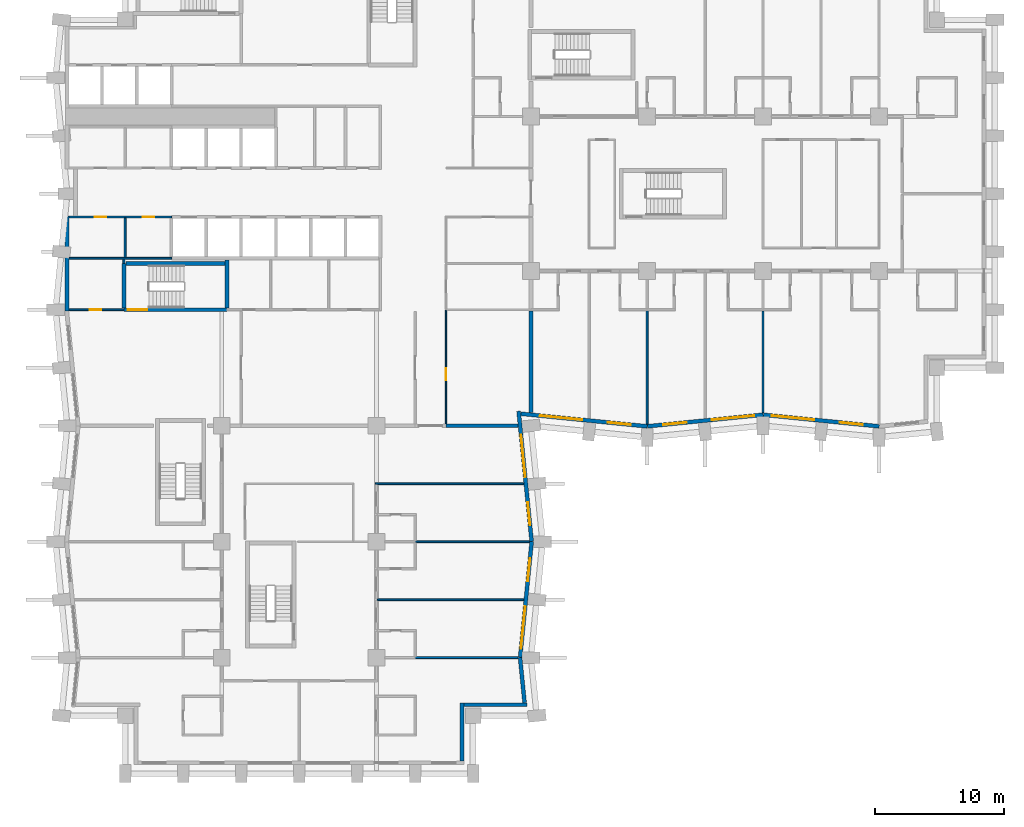
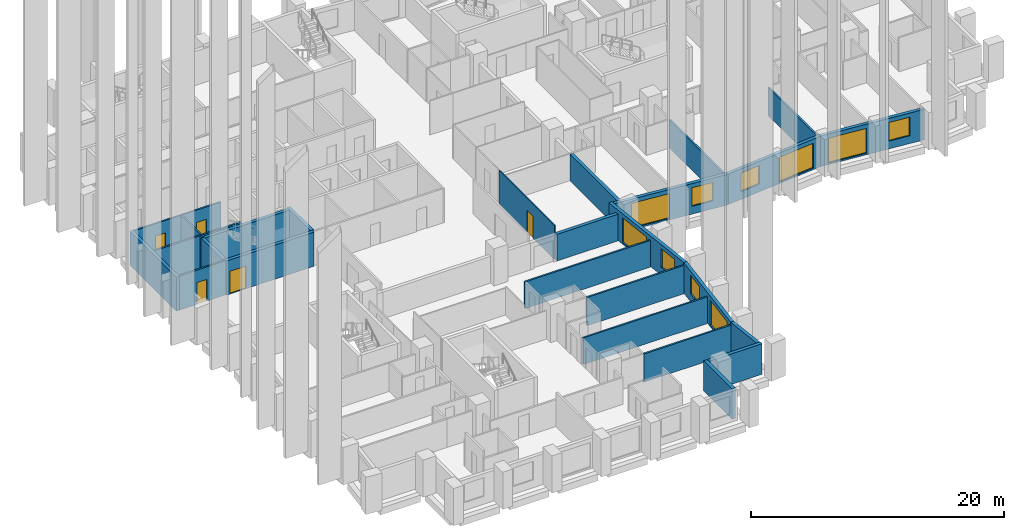
# One storey, part 5 of 13: 27 walls, 10 windows, 5 doors, 15 openings.
"""IFC4 building model written with IfcOpenShell, lengths in metres."""

from ifc_helpers import new_model, si_unit, direction, frame, frame_2d, origin, place, context, subcontext, project, spatial, rectangle, extrude, material, layer, layer_set, type_object, element, fill, save


model = new_model("IFC4")

# Units and contexts
model_context = context("Model", 3, precision=1e-05, world=origin(), true_north=direction((0.0, 1.0)))
body_context = subcontext(model_context, "Body", "Model", "MODEL_VIEW")
ifc_project = project(units=[si_unit("LENGTHUNIT", "METRE"), si_unit("AREAUNIT", "SQUARE_METRE"), si_unit("VOLUMEUNIT", "CUBIC_METRE"), si_unit("PLANEANGLEUNIT", "RADIAN"), si_unit("MASSUNIT", "GRAM", prefix="KILO")], contexts=[model_context])

# Site, building, storey
site_placement = place(None, origin())
site = spatial("IfcSite", under=ifc_project, at=site_placement, CompositionType="ELEMENT")
building_placement = place(site_placement, origin())
building = spatial("IfcBuilding", under=site, at=building_placement, Name="Brondeck Convention Tower", CompositionType="ELEMENT")
storey_placement = place(building_placement, frame((0.0, 0.0, 37.5)))
storey = spatial("IfcBuildingStorey", under=building, at=storey_placement, Name="L06", CompositionType="ELEMENT", Elevation=37.5)

# Walls
ifc_material_1 = material(Name="Concrete compartment wall C30/37", Category="concrete")
ifc_layer_1 = layer(ifc_material_1, 0.300048828125)
ifc_layer_set_1 = layer_set([ifc_layer_1], Name="Compartment wall 300")
wall_type_1 = type_object("IfcWallType", Name="Compartment wall 300", PredefinedType="PARTITIONING", material=ifc_layer_set_1)
wall_1_placement = place(storey_placement, frame((34.97509765625, 27.0, 0.0), z_axis=(0.0, 0.0, 1.0), x_axis=(-1.0, 0.0, 0.0)))
element("IfcWall", 1, at=wall_1_placement, inside=storey, type_object=wall_type_1, Name="FLR-L06-W057", PredefinedType="PARTITIONING", context=body_context, shape_type="SweptSolid", body=[
    extrude(rectangle(XDim=5.5751953125, YDim=0.300048828125, at=frame_2d((2.78759765625, 0.0))), origin(), (0.0, 0.0, 1.0), 2.580078125),
])
wall_2_placement = place(storey_placement, frame((36.0, 35.925048828125, 0.0), z_axis=(0.0, 0.0, 1.0), x_axis=(0.0, -1.0, 0.0)))
element("IfcWall", 2, at=wall_2_placement, inside=storey, type_object=wall_type_1, Name="FLR-L06-W060", PredefinedType="PARTITIONING", context=body_context, shape_type="SweptSolid", body=[
    extrude(rectangle(XDim=7.900146484375, YDim=0.300048828125, at=frame_2d((3.9501953125, 0.0))), origin(), (0.0, 0.0, 1.0), 2.580078125),
])
ifc_material_2 = material(Name="Concrete C80/95", Category="concrete")
ifc_layer_2 = layer(ifc_material_2, 0.300048828125)
ifc_layer_set_2 = layer_set([ifc_layer_2], Name="Core outer wall 300 Concrete C80/95")
wall_type_2 = type_object("IfcWallType", Name="Core outer wall 300 Concrete C80/95", PredefinedType="SHEAR", material=ifc_layer_set_2)
wall_3_placement = place(storey_placement, frame((0.0, 35.925048828125, 0.0), z_axis=(0.0, 0.0, 1.0), x_axis=(0.0, 1.0, 0.0)))
element("IfcWall", 3, at=wall_3_placement, inside=storey, type_object=wall_type_2, Name="L06 core wall", PredefinedType="SHEAR", context=body_context, shape_type="SweptSolid", body=[
    extrude(rectangle(XDim=7.349853515625, YDim=0.300048828125, at=frame_2d((3.6748046875, 0.0))), origin(), (0.0, 0.0, 1.0), 3.300048828125),
])

# Wall, opening, door
ifc_material_3 = material(Name="Fire-rated gypsum board partition")
ifc_layer_3 = layer(ifc_material_3, 0.14990234375)
ifc_layer_set_3 = layer_set([ifc_layer_3], Name="Core partition 150 EI 60")
wall_type_3 = type_object("IfcWallType", Name="Core partition 150 EI 60", PredefinedType="PARTITIONING", material=ifc_layer_set_3)
wall_4_placement = place(storey_placement, frame((0.14990234375, 36.0, 0.0), z_axis=(0.0, 0.0, 1.0), x_axis=(1.0, 0.0, 0.0)))
wall_4 = element("IfcWall", 4, at=wall_4_placement, inside=storey, type_object=wall_type_3, Name="L06 core wall", PredefinedType="PARTITIONING", context=body_context, shape_type="SweptSolid", body=[
    extrude(rectangle(XDim=4.25, YDim=0.14990234375, at=frame_2d((2.125, 0.0))), origin(), (0.0, 0.0, 1.0), 3.300048828125),
])
opening_1_placement = place(wall_4_placement, frame((1.60009765625, 0.0, 0.0)))
opening_1 = element("IfcOpeningElement", 5, at=opening_1_placement, cuts=wall_4, Name="Opening C08-06", PredefinedType="OPENING", context=body_context, shape_type="SweptSolid", body=[
    extrude(rectangle(XDim=0.89990234375, YDim=2.10009765625, at=frame_2d((0.449951171875, 1.050048828125))), frame((0.0, 0.0849609375, 0.0), z_axis=(0.0, -1.0, 0.0), x_axis=(1.0, 0.0, 0.0)), (0.0, 0.0, 1.0), 0.169921875),
])
ifc_material_4 = material(Name="Steel fire door", Category="steel")
door_type_1 = type_object("IfcDoorType", Name="Room door 900x2100 EI 60", OperationType="NOTDEFINED", PredefinedType="DOOR", material=ifc_material_4)
door_1_placement = place(opening_1_placement, origin())
door_1 = element("IfcDoor", 6, at=door_1_placement, inside=storey, type_object=door_type_1, Name="L06 Room door FRW-1", OperationType="SINGLE_SWING_LEFT", OverallHeight=2.10009765625, OverallWidth=0.89990234375, PredefinedType="DOOR", context=body_context, shape_type="SweptSolid", body=[
    extrude(rectangle(XDim=0.89990234375, YDim=2.10009765625, at=frame_2d((0.449951171875, 1.050048828125))), frame((0.0, 0.02490234375, 0.0), z_axis=(0.0, -1.0, 0.0), x_axis=(1.0, 0.0, 0.0)), (0.0, 0.0, 1.0), 0.050048828125),
])
fill(opening_1, door_1)

# Wall
wall_5_placement = place(storey_placement, frame((0.14990234375, 40.0, 0.0), z_axis=(0.0, 0.0, 1.0), x_axis=(1.0, 0.0, 0.0)))
element("IfcWall", 7, at=wall_5_placement, inside=storey, type_object=wall_type_3, Name="L06 core wall", PredefinedType="PARTITIONING", context=body_context, shape_type="SweptSolid", body=[
    extrude(rectangle(XDim=7.9501953125, YDim=0.14990234375, at=frame_2d((3.97509765625, 0.0))), origin(), (0.0, 0.0, 1.0), 3.300048828125),
])

# Wall, openings, doors
wall_6_placement = place(storey_placement, frame((0.14990234375, 43.199951171875, 0.0), z_axis=(0.0, 0.0, 1.0), x_axis=(1.0, 0.0, 0.0)))
wall_6 = element("IfcWall", 8, at=wall_6_placement, inside=storey, type_object=wall_type_3, Name="L06 core wall", PredefinedType="PARTITIONING", context=body_context, shape_type="SweptSolid", body=[
    extrude(rectangle(XDim=7.9501953125, YDim=0.14990234375, at=frame_2d((3.97509765625, 0.0))), origin(), (0.0, 0.0, 1.0), 3.300048828125),
])
opening_2_placement = place(wall_6_placement, frame((1.97509765625, 0.0, 0.0)))
opening_2 = element("IfcOpeningElement", 9, at=opening_2_placement, cuts=wall_6, Name="Opening C08-11", PredefinedType="OPENING", context=body_context, shape_type="SweptSolid", body=[
    extrude(rectangle(XDim=0.89990234375, YDim=2.10009765625, at=frame_2d((0.449951171875, 1.050048828125))), frame((0.0, 0.0849609375, 0.0), z_axis=(0.0, -1.0, 0.0), x_axis=(1.0, 0.0, 0.0)), (0.0, 0.0, 1.0), 0.169921875),
])
opening_3_placement = place(wall_6_placement, frame((5.699951171875, 0.0, 0.0)))
opening_3 = element("IfcOpeningElement", 10, at=opening_3_placement, cuts=wall_6, Name="Opening C08-12", PredefinedType="OPENING", context=body_context, shape_type="SweptSolid", body=[
    extrude(rectangle(XDim=0.89990234375, YDim=2.10009765625, at=frame_2d((0.449951171875, 1.050048828125))), frame((0.0, 0.0849609375, 0.0), z_axis=(0.0, -1.0, 0.0), x_axis=(1.0, 0.0, 0.0)), (0.0, 0.0, 1.0), 0.169921875),
])
door_2_placement = place(opening_2_placement, origin())
door_2 = element("IfcDoor", 11, at=door_2_placement, inside=storey, type_object=door_type_1, Name="L06 Room door FZ-S-0-1", OperationType="SINGLE_SWING_LEFT", OverallHeight=2.10009765625, OverallWidth=0.89990234375, PredefinedType="DOOR", context=body_context, shape_type="SweptSolid", body=[
    extrude(rectangle(XDim=0.89990234375, YDim=2.10009765625, at=frame_2d((0.449951171875, 1.050048828125))), frame((0.0, 0.02490234375, 0.0), z_axis=(0.0, -1.0, 0.0), x_axis=(1.0, 0.0, 0.0)), (0.0, 0.0, 1.0), 0.050048828125),
])
fill(opening_2, door_2)
door_3_placement = place(opening_3_placement, origin())
door_3 = element("IfcDoor", 12, at=door_3_placement, inside=storey, type_object=door_type_1, Name="L06 Room door FZ-S-0-2", OperationType="SINGLE_SWING_RIGHT", OverallHeight=2.10009765625, OverallWidth=0.89990234375, PredefinedType="DOOR", context=body_context, shape_type="SweptSolid", body=[
    extrude(rectangle(XDim=0.89990234375, YDim=2.10009765625, at=frame_2d((0.449951171875, 1.050048828125))), frame((0.0, 0.02490234375, 0.0), z_axis=(0.0, -1.0, 0.0), x_axis=(1.0, 0.0, 0.0)), (0.0, 0.0, 1.0), 0.050048828125),
])
fill(opening_3, door_3)

# Walls
wall_7_placement = place(storey_placement, frame((4.39990234375, 39.60009765625, 0.0), z_axis=(0.0, 0.0, 1.0), x_axis=(0.0, 1.0, 0.0)))
element("IfcWall", 13, at=wall_7_placement, inside=storey, type_object=wall_type_3, Name="L06 core wall", PredefinedType="PARTITIONING", context=body_context, shape_type="SweptSolid", body=[
    extrude(rectangle(XDim=0.324951171875, YDim=0.14990234375, at=frame_2d((0.16259765625, 0.0))), origin(), (0.0, 0.0, 1.0), 3.300048828125),
])
wall_8_placement = place(storey_placement, frame((4.5, 40.074951171875, 0.0), z_axis=(0.0, 0.0, 1.0), x_axis=(0.0, 1.0, 0.0)))
element("IfcWall", 14, at=wall_8_placement, inside=storey, type_object=wall_type_3, Name="L06 core wall", PredefinedType="PARTITIONING", context=body_context, shape_type="SweptSolid", body=[
    extrude(rectangle(XDim=3.050048828125, YDim=0.14990234375, at=frame_2d((1.52490234375, 0.0))), origin(), (0.0, 0.0, 1.0), 3.300048828125),
])
ifc_material_5 = material(Name="Precast concrete C50/60 bronze finish", Category="concrete")
ifc_layer_4 = layer(ifc_material_5, 0.070068359375, Name="Bronze precast facing")
ifc_material_6 = material(Name="Mineral wool")
ifc_layer_5 = layer(ifc_material_6, 0.159912109375, Name="Insulation")
ifc_material_7 = material(Name="Concrete C35/45", Category="concrete")
ifc_layer_6 = layer(ifc_material_7, 0.070068359375, Name="Backing")
ifc_layer_set_4 = layer_set([ifc_layer_4, ifc_layer_5, ifc_layer_6], Name="External infill wall, precast concrete C50/60 bronze facing")
wall_type_4 = type_object("IfcWallType", Name="External infill wall, precast concrete C50/60 bronze facing", PredefinedType="SOLIDWALL", material=ifc_layer_set_4)
wall_9_placement = place(storey_placement, frame((30.64990234375, 5.5, 0.0), z_axis=(0.0, 0.0, 1.0), x_axis=(0.0, -1.0, 0.0)))
element("IfcWall", 15, at=wall_9_placement, inside=storey, type_object=wall_type_4, Name="ENV-EW-L06-P0-NC-SEB0-01", PredefinedType="SOLIDWALL", context=body_context, shape_type="SweptSolid", body=[
    extrude(rectangle(XDim=4.501953125, YDim=0.300048828125, at=frame_2d((2.2509765625, 0.0))), origin(), (0.0, 0.0, 1.0), 2.949951171875),
])
wall_10_placement = place(storey_placement, frame((35.676513671875, 5.35009765625, 0.0), z_axis=(0.0, 0.0, 1.0), x_axis=(-1.0, 0.0, 0.0)))
element("IfcWall", 16, at=wall_10_placement, inside=storey, type_object=wall_type_4, Name="ENV-EW-L06-P0-NC-SEB0-02", PredefinedType="SOLIDWALL", context=body_context, shape_type="SweptSolid", body=[
    extrude(rectangle(XDim=4.87646484375, YDim=0.300048828125, at=frame_2d((2.438232421875, 0.0))), origin(), (0.0, 0.0, 1.0), 2.949951171875),
])
wall_11_placement = place(storey_placement, frame((35.144287109375, 9.014892578125, 0.0), z_axis=(0.0, 0.0, 1.0), x_axis=(0.099462600847, -0.995041301169, 0.0)))
element("IfcWall", 17, at=wall_11_placement, inside=storey, type_object=wall_type_4, Name="ENV-EW-L06-P0-B-E-04", PredefinedType="SOLIDWALL", context=body_context, shape_type="SweptSolid", body=[
    extrude(rectangle(XDim=3.52734375, YDim=0.300048828125, at=frame_2d((1.763671875, 0.0))), origin(), (0.0, 0.0, 1.0), 2.949951171875),
])

# Wall, openings, windows
wall_12_placement = place(storey_placement, frame((36.04736328125, 18.014892578125, 0.0), z_axis=(0.0, 0.0, 1.0), x_axis=(-0.099522457379, -0.995035316196, 0.0)))
wall_12 = element("IfcWall", 18, at=wall_12_placement, inside=storey, type_object=wall_type_4, Name="ENV-EW-L06-P0-B-E-03", PredefinedType="SOLIDWALL", context=body_context, shape_type="SweptSolid", body=[
    extrude(rectangle(XDim=9.030029296875, YDim=0.300048828125, at=frame_2d((4.51513671875, 0.0))), origin(), (0.0, 0.0, 1.0), 2.949951171875),
])
opening_4_placement = place(wall_12_placement, frame((1.291259765625, 0.0, 0.75)))
opening_4 = element("IfcOpeningElement", 19, at=opening_4_placement, cuts=wall_12, Name="Opening W10", PredefinedType="OPENING", context=body_context, shape_type="SweptSolid", body=[
    extrude(rectangle(XDim=1.800048828125, YDim=1.800048828125, at=frame_2d((0.89990234375, 0.89990234375))), frame((0.0, 0.159912109375, 0.0), z_axis=(0.0, -1.0, 0.0), x_axis=(1.0, 0.0, 0.0)), (0.0, 0.0, 1.0), 0.320068359375),
])
opening_5_placement = place(wall_12_placement, frame((5.063720703125, 0.0, 0.14990234375)))
opening_5 = element("IfcOpeningElement", 20, at=opening_5_placement, cuts=wall_12, Name="Opening W9", PredefinedType="OPENING", context=body_context, shape_type="SweptSolid", body=[
    extrude(rectangle(XDim=3.300048828125, YDim=2.39990234375, at=frame_2d((1.64990234375, 1.199951171875))), frame((0.0, 0.159912109375, 0.0), z_axis=(0.0, -1.0, 0.0), x_axis=(1.0, 0.0, 0.0)), (0.0, 0.0, 1.0), 0.320068359375),
])
ifc_material_8 = material(Name="Bronze tinted double glazing", Category="glass")
window_type_1 = type_object("IfcWindowType", Name="Glazed flute window, bronze tinted", PartitioningType="SINGLE_PANEL", PredefinedType="WINDOW", material=ifc_material_8)
window_1_placement = place(opening_5_placement, origin())
window_1 = element("IfcWindow", 21, at=window_1_placement, inside=storey, type_object=window_type_1, Name="ENV-WN-L06-P0-B-E-03", OverallHeight=2.39990234375, OverallWidth=3.300048828125, PartitioningType="SINGLE_PANEL", PredefinedType="WINDOW", context=body_context, shape_type="SweptSolid", body=[
    extrude(rectangle(XDim=3.300048828125, YDim=2.39990234375, at=frame_2d((1.64990234375, 1.199951171875))), frame((0.0, 0.030029296875, 0.0), z_axis=(0.0, -1.0, 0.0), x_axis=(1.0, 0.0, 0.0)), (0.0, 0.0, 1.0), 0.06005859375),
])
fill(opening_5, window_1)
window_type_2 = type_object("IfcWindowType", Name="Punched window, bronze tinted", PartitioningType="SINGLE_PANEL", PredefinedType="WINDOW", material=ifc_material_8)
window_2_placement = place(opening_4_placement, origin())
window_2 = element("IfcWindow", 22, at=window_2_placement, inside=storey, type_object=window_type_2, Name="ENV-WN-L06-P0-B-E-02", OverallHeight=1.800048828125, OverallWidth=1.800048828125, PartitioningType="SINGLE_PANEL", PredefinedType="WINDOW", context=body_context, shape_type="SweptSolid", body=[
    extrude(rectangle(XDim=1.800048828125, YDim=1.800048828125, at=frame_2d((0.89990234375, 0.89990234375))), frame((0.0, 0.030029296875, 0.0), z_axis=(0.0, -1.0, 0.0), x_axis=(1.0, 0.0, 0.0)), (0.0, 0.0, 1.0), 0.06005859375),
])
fill(opening_4, window_2)

wall_13_placement = place(storey_placement, frame((35.03271484375, 28.131591796875, 0.0), z_axis=(0.0, 0.0, 1.0), x_axis=(0.099487051997, -0.995038856771, 0.0)))
wall_13 = element("IfcWall", 23, at=wall_13_placement, inside=storey, type_object=wall_type_4, Name="ENV-EW-L06-P0-B-E-01", PredefinedType="SOLIDWALL", context=body_context, shape_type="SweptSolid", body=[
    extrude(rectangle(XDim=10.152099609375, YDim=0.300048828125, at=frame_2d((5.076171875, 0.0))), origin(), (0.0, 0.0, 1.0), 2.949951171875),
])
opening_6_placement = place(wall_13_placement, frame((1.83349609375, 0.0, 0.14990234375)))
opening_6 = element("IfcOpeningElement", 24, at=opening_6_placement, cuts=wall_13, Name="Opening W9", PredefinedType="OPENING", context=body_context, shape_type="SweptSolid", body=[
    extrude(rectangle(XDim=3.300048828125, YDim=2.39990234375, at=frame_2d((1.64990234375, 1.199951171875))), frame((0.0, 0.159912109375, 0.0), z_axis=(0.0, -1.0, 0.0), x_axis=(1.0, 0.0, 0.0)), (0.0, 0.0, 1.0), 0.320068359375),
])
opening_7_placement = place(wall_13_placement, frame((7.10595703125, 0.0, 0.75)))
opening_7 = element("IfcOpeningElement", 25, at=opening_7_placement, cuts=wall_13, Name="Opening W10", PredefinedType="OPENING", context=body_context, shape_type="SweptSolid", body=[
    extrude(rectangle(XDim=1.800048828125, YDim=1.800048828125, at=frame_2d((0.89990234375, 0.89990234375))), frame((0.0, 0.159912109375, 0.0), z_axis=(0.0, -1.0, 0.0), x_axis=(1.0, 0.0, 0.0)), (0.0, 0.0, 1.0), 0.320068359375),
])
window_3_placement = place(opening_6_placement, origin())
window_3 = element("IfcWindow", 26, at=window_3_placement, inside=storey, type_object=window_type_1, Name="ENV-WN-L06-P0-B-E-00", OverallHeight=2.39990234375, OverallWidth=3.300048828125, PartitioningType="SINGLE_PANEL", PredefinedType="WINDOW", context=body_context, shape_type="SweptSolid", body=[
    extrude(rectangle(XDim=3.300048828125, YDim=2.39990234375, at=frame_2d((1.64990234375, 1.199951171875))), frame((0.0, 0.030029296875, 0.0), z_axis=(0.0, -1.0, 0.0), x_axis=(1.0, 0.0, 0.0)), (0.0, 0.0, 1.0), 0.06005859375),
])
fill(opening_6, window_3)
window_4_placement = place(opening_7_placement, origin())
window_4 = element("IfcWindow", 27, at=window_4_placement, inside=storey, type_object=window_type_2, Name="ENV-WN-L06-P0-B-E-01", OverallHeight=1.800048828125, OverallWidth=1.800048828125, PartitioningType="SINGLE_PANEL", PredefinedType="WINDOW", context=body_context, shape_type="SweptSolid", body=[
    extrude(rectangle(XDim=1.800048828125, YDim=1.800048828125, at=frame_2d((0.89990234375, 0.89990234375))), frame((0.0, 0.030029296875, 0.0), z_axis=(0.0, -1.0, 0.0), x_axis=(1.0, 0.0, 0.0)), (0.0, 0.0, 1.0), 0.06005859375),
])
fill(opening_7, window_4)

wall_14_placement = place(storey_placement, frame((45.014892578125, 26.95263671875, 0.0), z_axis=(0.0, 0.0, 1.0), x_axis=(-0.995036699177, 0.099508629231, 0.0)))
wall_14 = element("IfcWall", 28, at=wall_14_placement, inside=storey, type_object=wall_type_4, Name="ENV-EW-L06-P0-A-S-00", PredefinedType="SOLIDWALL", context=body_context, shape_type="SweptSolid", body=[
    extrude(rectangle(XDim=9.845703125, YDim=0.300048828125, at=frame_2d((4.9228515625, 0.0))), origin(), (0.0, 0.0, 1.0), 2.949951171875),
])
opening_8_placement = place(wall_14_placement, frame((1.291259765625, 0.0, 0.75)))
opening_8 = element("IfcOpeningElement", 29, at=opening_8_placement, cuts=wall_14, Name="Opening W10", PredefinedType="OPENING", context=body_context, shape_type="SweptSolid", body=[
    extrude(rectangle(XDim=1.800048828125, YDim=1.800048828125, at=frame_2d((0.89990234375, 0.89990234375))), frame((0.0, 0.159912109375, 0.0), z_axis=(0.0, -1.0, 0.0), x_axis=(1.0, 0.0, 0.0)), (0.0, 0.0, 1.0), 0.320068359375),
])
opening_9_placement = place(wall_14_placement, frame((5.063720703125, 0.0, 0.14990234375)))
opening_9 = element("IfcOpeningElement", 30, at=opening_9_placement, cuts=wall_14, Name="Opening W9", PredefinedType="OPENING", context=body_context, shape_type="SweptSolid", body=[
    extrude(rectangle(XDim=3.300048828125, YDim=2.39990234375, at=frame_2d((1.64990234375, 1.199951171875))), frame((0.0, 0.159912109375, 0.0), z_axis=(0.0, -1.0, 0.0), x_axis=(1.0, 0.0, 0.0)), (0.0, 0.0, 1.0), 0.320068359375),
])
window_5_placement = place(opening_9_placement, origin())
window_5 = element("IfcWindow", 31, at=window_5_placement, inside=storey, type_object=window_type_1, Name="ENV-WN-L06-P0-A-S-00", OverallHeight=2.39990234375, OverallWidth=3.300048828125, PartitioningType="SINGLE_PANEL", PredefinedType="WINDOW", context=body_context, shape_type="SweptSolid", body=[
    extrude(rectangle(XDim=3.300048828125, YDim=2.39990234375, at=frame_2d((1.64990234375, 1.199951171875))), frame((0.0, 0.030029296875, 0.0), z_axis=(0.0, -1.0, 0.0), x_axis=(1.0, 0.0, 0.0)), (0.0, 0.0, 1.0), 0.06005859375),
])
fill(opening_9, window_5)
window_6_placement = place(opening_8_placement, origin())
window_6 = element("IfcWindow", 32, at=window_6_placement, inside=storey, type_object=window_type_2, Name="ENV-WN-L06-P0-A-S-01", OverallHeight=1.800048828125, OverallWidth=1.800048828125, PartitioningType="SINGLE_PANEL", PredefinedType="WINDOW", context=body_context, shape_type="SweptSolid", body=[
    extrude(rectangle(XDim=1.800048828125, YDim=1.800048828125, at=frame_2d((0.89990234375, 0.89990234375))), frame((0.0, 0.030029296875, 0.0), z_axis=(0.0, -1.0, 0.0), x_axis=(1.0, 0.0, 0.0)), (0.0, 0.0, 1.0), 0.06005859375),
])
fill(opening_8, window_6)

wall_15_placement = place(storey_placement, frame((54.014892578125, 27.855712890625, 0.0), z_axis=(0.0, 0.0, 1.0), x_axis=(-0.995037993253, -0.099495688264, 0.0)))
wall_15 = element("IfcWall", 33, at=wall_15_placement, inside=storey, type_object=wall_type_4, Name="ENV-EW-L06-P0-A-S-02", PredefinedType="SOLIDWALL", context=body_context, shape_type="SweptSolid", body=[
    extrude(rectangle(XDim=9.030029296875, YDim=0.300048828125, at=frame_2d((4.51513671875, 0.0))), origin(), (0.0, 0.0, 1.0), 2.949951171875),
])
opening_10_placement = place(wall_15_placement, frame((0.711181640625, 0.0, 0.14990234375)))
opening_10 = element("IfcOpeningElement", 34, at=opening_10_placement, cuts=wall_15, Name="Opening W9", PredefinedType="OPENING", context=body_context, shape_type="SweptSolid", body=[
    extrude(rectangle(XDim=3.300048828125, YDim=2.39990234375, at=frame_2d((1.64990234375, 1.199951171875))), frame((0.0, 0.159912109375, 0.0), z_axis=(0.0, -1.0, 0.0), x_axis=(1.0, 0.0, 0.0)), (0.0, 0.0, 1.0), 0.320068359375),
])
opening_11_placement = place(wall_15_placement, frame((5.983642578125, 0.0, 0.75)))
opening_11 = element("IfcOpeningElement", 35, at=opening_11_placement, cuts=wall_15, Name="Opening W10", PredefinedType="OPENING", context=body_context, shape_type="SweptSolid", body=[
    extrude(rectangle(XDim=1.800048828125, YDim=1.800048828125, at=frame_2d((0.89990234375, 0.89990234375))), frame((0.0, 0.159912109375, 0.0), z_axis=(0.0, -1.0, 0.0), x_axis=(1.0, 0.0, 0.0)), (0.0, 0.0, 1.0), 0.320068359375),
])
window_7_placement = place(opening_10_placement, origin())
window_7 = element("IfcWindow", 36, at=window_7_placement, inside=storey, type_object=window_type_1, Name="ENV-WN-L06-P0-A-S-03", OverallHeight=2.39990234375, OverallWidth=3.300048828125, PartitioningType="SINGLE_PANEL", PredefinedType="WINDOW", context=body_context, shape_type="SweptSolid", body=[
    extrude(rectangle(XDim=3.300048828125, YDim=2.39990234375, at=frame_2d((1.64990234375, 1.199951171875))), frame((0.0, 0.030029296875, 0.0), z_axis=(0.0, -1.0, 0.0), x_axis=(1.0, 0.0, 0.0)), (0.0, 0.0, 1.0), 0.06005859375),
])
fill(opening_10, window_7)
window_8_placement = place(opening_11_placement, origin())
window_8 = element("IfcWindow", 37, at=window_8_placement, inside=storey, type_object=window_type_2, Name="ENV-WN-L06-P0-A-S-02", OverallHeight=1.800048828125, OverallWidth=1.800048828125, PartitioningType="SINGLE_PANEL", PredefinedType="WINDOW", context=body_context, shape_type="SweptSolid", body=[
    extrude(rectangle(XDim=1.800048828125, YDim=1.800048828125, at=frame_2d((0.89990234375, 0.89990234375))), frame((0.0, 0.030029296875, 0.0), z_axis=(0.0, -1.0, 0.0), x_axis=(1.0, 0.0, 0.0)), (0.0, 0.0, 1.0), 0.06005859375),
])
fill(opening_11, window_8)

wall_16_placement = place(storey_placement, frame((63.014892578125, 26.95263671875, 0.0), z_axis=(0.0, 0.0, 1.0), x_axis=(-0.995035316196, 0.099522457379, 0.0)))
wall_16 = element("IfcWall", 38, at=wall_16_placement, inside=storey, type_object=wall_type_4, Name="ENV-EW-L06-P0-A-S-04", PredefinedType="SOLIDWALL", context=body_context, shape_type="SweptSolid", body=[
    extrude(rectangle(XDim=9.030029296875, YDim=0.300048828125, at=frame_2d((4.51513671875, 0.0))), origin(), (0.0, 0.0, 1.0), 2.949951171875),
])
opening_12_placement = place(wall_16_placement, frame((1.291259765625, 0.0, 0.75)))
opening_12 = element("IfcOpeningElement", 39, at=opening_12_placement, cuts=wall_16, Name="Opening W10", PredefinedType="OPENING", context=body_context, shape_type="SweptSolid", body=[
    extrude(rectangle(XDim=1.800048828125, YDim=1.800048828125, at=frame_2d((0.89990234375, 0.89990234375))), frame((0.0, 0.159912109375, 0.0), z_axis=(0.0, -1.0, 0.0), x_axis=(1.0, 0.0, 0.0)), (0.0, 0.0, 1.0), 0.320068359375),
])
opening_13_placement = place(wall_16_placement, frame((5.063720703125, 0.0, 0.14990234375)))
opening_13 = element("IfcOpeningElement", 40, at=opening_13_placement, cuts=wall_16, Name="Opening W9", PredefinedType="OPENING", context=body_context, shape_type="SweptSolid", body=[
    extrude(rectangle(XDim=3.300048828125, YDim=2.39990234375, at=frame_2d((1.64990234375, 1.199951171875))), frame((0.0, 0.159912109375, 0.0), z_axis=(0.0, -1.0, 0.0), x_axis=(1.0, 0.0, 0.0)), (0.0, 0.0, 1.0), 0.320068359375),
])
window_9_placement = place(opening_13_placement, origin())
window_9 = element("IfcWindow", 41, at=window_9_placement, inside=storey, type_object=window_type_1, Name="ENV-WN-L06-P0-A-S-04", OverallHeight=2.39990234375, OverallWidth=3.300048828125, PartitioningType="SINGLE_PANEL", PredefinedType="WINDOW", context=body_context, shape_type="SweptSolid", body=[
    extrude(rectangle(XDim=3.300048828125, YDim=2.39990234375, at=frame_2d((1.64990234375, 1.199951171875))), frame((0.0, 0.030029296875, 0.0), z_axis=(0.0, -1.0, 0.0), x_axis=(1.0, 0.0, 0.0)), (0.0, 0.0, 1.0), 0.06005859375),
])
fill(opening_13, window_9)
window_10_placement = place(opening_12_placement, origin())
window_10 = element("IfcWindow", 42, at=window_10_placement, inside=storey, type_object=window_type_2, Name="ENV-WN-L06-P0-A-S-05", OverallHeight=1.800048828125, OverallWidth=1.800048828125, PartitioningType="SINGLE_PANEL", PredefinedType="WINDOW", context=body_context, shape_type="SweptSolid", body=[
    extrude(rectangle(XDim=1.800048828125, YDim=1.800048828125, at=frame_2d((0.89990234375, 0.89990234375))), frame((0.0, 0.030029296875, 0.0), z_axis=(0.0, -1.0, 0.0), x_axis=(1.0, 0.0, 0.0)), (0.0, 0.0, 1.0), 0.06005859375),
])
fill(opening_12, window_10)

# Walls
ifc_material_9 = material(Name="Double gypsum board acoustic wall")
ifc_layer_7 = layer(ifc_material_9, 0.14990234375)
ifc_layer_set_5 = layer_set([ifc_layer_7], Name="Guest room party wall 150")
wall_type_5 = type_object("IfcWallType", Name="Guest room party wall 150", PredefinedType="PARTITIONING", material=ifc_layer_set_5)
wall_17_placement = place(storey_placement, frame((34.97509765625, 9.0, 0.0), z_axis=(0.0, 0.0, 1.0), x_axis=(-1.0, 0.0, 0.0)))
element("IfcWall", 43, at=wall_17_placement, inside=storey, type_object=wall_type_5, Name="FLR-L06-W017", PredefinedType="PARTITIONING", context=body_context, shape_type="SweptSolid", body=[
    extrude(rectangle(XDim=7.97509765625, YDim=0.14990234375, at=frame_2d((3.987548828125, 0.0))), origin(), (0.0, 0.0, 1.0), 2.72998046875),
])
wall_18_placement = place(storey_placement, frame((35.425048828125, 13.5, 0.0), z_axis=(0.0, 0.0, 1.0), x_axis=(-1.0, 0.0, 0.0)))
element("IfcWall", 44, at=wall_18_placement, inside=storey, type_object=wall_type_5, Name="FLR-L06-W027", PredefinedType="PARTITIONING", context=body_context, shape_type="SweptSolid", body=[
    extrude(rectangle(XDim=11.35009765625, YDim=0.14990234375, at=frame_2d((5.675048828125, 0.0))), origin(), (0.0, 0.0, 1.0), 2.580078125),
])
wall_19_placement = place(storey_placement, frame((35.875, 18.0, 0.0), z_axis=(0.0, 0.0, 1.0), x_axis=(-1.0, 0.0, 0.0)))
element("IfcWall", 45, at=wall_19_placement, inside=storey, type_object=wall_type_5, Name="FLR-L06-W040", PredefinedType="PARTITIONING", context=body_context, shape_type="SweptSolid", body=[
    extrude(rectangle(XDim=8.875, YDim=0.14990234375, at=frame_2d((4.4375, 0.0))), origin(), (0.0, 0.0, 1.0), 2.72998046875),
])
wall_20_placement = place(storey_placement, frame((35.425048828125, 22.5, 0.0), z_axis=(0.0, 0.0, 1.0), x_axis=(-1.0, 0.0, 0.0)))
element("IfcWall", 46, at=wall_20_placement, inside=storey, type_object=wall_type_5, Name="FLR-L06-W050", PredefinedType="PARTITIONING", context=body_context, shape_type="SweptSolid", body=[
    extrude(rectangle(XDim=11.5, YDim=0.14990234375, at=frame_2d((5.75, 0.0))), origin(), (0.0, 0.0, 1.0), 2.580078125),
])
wall_21_placement = place(storey_placement, frame((45.0, 35.925048828125, 0.0), z_axis=(0.0, 0.0, 1.0), x_axis=(0.0, -1.0, 0.0)))
element("IfcWall", 47, at=wall_21_placement, inside=storey, type_object=wall_type_5, Name="FLR-L06-W061", PredefinedType="PARTITIONING", context=body_context, shape_type="SweptSolid", body=[
    extrude(rectangle(XDim=8.800048828125, YDim=0.14990234375, at=frame_2d((4.39990234375, 0.0))), origin(), (0.0, 0.0, 1.0), 2.72998046875),
])
wall_22_placement = place(storey_placement, frame((54.0, 35.925048828125, 0.0), z_axis=(0.0, 0.0, 1.0), x_axis=(0.0, -1.0, 0.0)))
element("IfcWall", 48, at=wall_22_placement, inside=storey, type_object=wall_type_5, Name="FLR-L06-W062", PredefinedType="PARTITIONING", context=body_context, shape_type="SweptSolid", body=[
    extrude(rectangle(XDim=7.900146484375, YDim=0.14990234375, at=frame_2d((3.9501953125, 0.0))), origin(), (0.0, 0.0, 1.0), 2.72998046875),
])

# Wall, opening, door
ifc_material_10 = material(Name="Gypsum board partition on steel studs", Category="steel")
ifc_layer_8 = layer(ifc_material_10, 0.10009765625)
ifc_layer_set_6 = layer_set([ifc_layer_8], Name="Room partition 100")
wall_type_6 = type_object("IfcWallType", Name="Room partition 100", PredefinedType="PARTITIONING", material=ifc_layer_set_6)
wall_23_placement = place(storey_placement, frame((29.39990234375, 35.949951171875, 0.0), z_axis=(0.0, 0.0, 1.0), x_axis=(0.0, -1.0, 0.0)))
wall_23 = element("IfcWall", 49, at=wall_23_placement, inside=storey, type_object=wall_type_6, Name="FLR-L06-W064", PredefinedType="PARTITIONING", context=body_context, shape_type="SweptSolid", body=[
    extrude(rectangle(XDim=8.800048828125, YDim=0.10009765625, at=frame_2d((4.39990234375, 0.0))), origin(), (0.0, 0.0, 1.0), 3.280029296875),
])
opening_14_placement = place(wall_23_placement, frame((4.5, 0.0, 0.0)))
opening_14 = element("IfcOpeningElement", 50, at=opening_14_placement, cuts=wall_23, Name="Opening H1-051", PredefinedType="OPENING", context=body_context, shape_type="SweptSolid", body=[
    extrude(rectangle(XDim=0.89990234375, YDim=2.10009765625, at=frame_2d((0.449951171875, 1.050048828125))), frame((0.0, 0.06005859375, 0.0), z_axis=(0.0, -1.0, 0.0), x_axis=(1.0, 0.0, 0.0)), (0.0, 0.0, 1.0), 0.1201171875),
])
ifc_material_11 = material(Name="Solid timber door leaf", Category="wood")
door_type_2 = type_object("IfcDoorType", Name="Single door 900", OperationType="NOTDEFINED", PredefinedType="DOOR", material=ifc_material_11)
door_4_placement = place(opening_14_placement, origin())
door_4 = element("IfcDoor", 51, at=door_4_placement, inside=storey, type_object=door_type_2, Name="Door H1-051", OperationType="SINGLE_SWING_LEFT", OverallHeight=2.10009765625, OverallWidth=0.89990234375, PredefinedType="DOOR", context=body_context, shape_type="SweptSolid", body=[
    extrude(rectangle(XDim=0.89990234375, YDim=2.10009765625, at=frame_2d((0.449951171875, 1.050048828125))), frame((0.0, 0.02490234375, 0.0), z_axis=(0.0, -1.0, 0.0), x_axis=(1.0, 0.0, 0.0)), (0.0, 0.0, 1.0), 0.050048828125),
])
fill(opening_14, door_4)

ifc_layer_9 = layer(ifc_material_2, 0.300048828125)
ifc_layer_set_7 = layer_set([ifc_layer_9], Name="Stair enclosure wall 300 Concrete C80/95")
wall_type_7 = type_object("IfcWallType", Name="Stair enclosure wall 300 Concrete C80/95", PredefinedType="SHEAR", material=ifc_layer_set_7)
wall_24_placement = place(storey_placement, frame((4.39990234375, 36.0, 0.0), z_axis=(0.0, 0.0, 1.0), x_axis=(1.0, 0.0, 0.0)))
wall_24 = element("IfcWall", 52, at=wall_24_placement, inside=storey, type_object=wall_type_7, Name="L06 core wall", PredefinedType="SHEAR", context=body_context, shape_type="SweptSolid", body=[
    extrude(rectangle(XDim=8.0, YDim=0.300048828125, at=frame_2d((4.0, 0.0))), origin(), (0.0, 0.0, 1.0), 3.300048828125),
])
opening_15_placement = place(wall_24_placement, frame((0.300048828125, 0.0, 0.0)))
opening_15 = element("IfcOpeningElement", 53, at=opening_15_placement, cuts=wall_24, Name="Opening C08-14", PredefinedType="OPENING", context=body_context, shape_type="SweptSolid", body=[
    extrude(rectangle(XDim=1.5, YDim=2.199951171875, at=frame_2d((0.75, 1.10009765625))), frame((0.0, 0.159912109375, 0.0), z_axis=(0.0, -1.0, 0.0), x_axis=(1.0, 0.0, 0.0)), (0.0, 0.0, 1.0), 0.320068359375),
])
door_type_3 = type_object("IfcDoorType", Name="Stair door 1500x2200 EI 90", OperationType="NOTDEFINED", PredefinedType="DOOR", material=ifc_material_4)
door_5_placement = place(opening_15_placement, origin())
door_5 = element("IfcDoor", 54, at=door_5_placement, inside=storey, type_object=door_type_3, Name="L06 Stair door ST-1", OperationType="SINGLE_SWING_RIGHT", OverallHeight=2.199951171875, OverallWidth=1.5, PredefinedType="DOOR", context=body_context, shape_type="SweptSolid", body=[
    extrude(rectangle(XDim=1.5, YDim=2.199951171875, at=frame_2d((0.75, 1.10009765625))), frame((0.0, 0.02490234375, 0.0), z_axis=(0.0, -1.0, 0.0), x_axis=(1.0, 0.0, 0.0)), (0.0, 0.0, 1.0), 0.050048828125),
])
fill(opening_15, door_5)

# Walls
wall_25_placement = place(storey_placement, frame((4.550048828125, 39.60009765625, 0.0), z_axis=(0.0, 0.0, 1.0), x_axis=(1.0, 0.0, 0.0)))
element("IfcWall", 55, at=wall_25_placement, inside=storey, type_object=wall_type_7, Name="L06 core wall", PredefinedType="SHEAR", context=body_context, shape_type="SweptSolid", body=[
    extrude(rectangle(XDim=7.699951171875, YDim=0.300048828125, at=frame_2d((3.85009765625, 0.0))), origin(), (0.0, 0.0, 1.0), 3.300048828125),
])
wall_26_placement = place(storey_placement, frame((4.39990234375, 36.14990234375, 0.0), z_axis=(0.0, 0.0, 1.0), x_axis=(0.0, 1.0, 0.0)))
element("IfcWall", 56, at=wall_26_placement, inside=storey, type_object=wall_type_7, Name="L06 core wall", PredefinedType="SHEAR", context=body_context, shape_type="SweptSolid", body=[
    extrude(rectangle(XDim=3.4501953125, YDim=0.300048828125, at=frame_2d((1.72509765625, 0.0))), origin(), (0.0, 0.0, 1.0), 3.300048828125),
])
wall_27_placement = place(storey_placement, frame((12.39990234375, 36.14990234375, 0.0), z_axis=(0.0, 0.0, 1.0), x_axis=(0.0, 1.0, 0.0)))
element("IfcWall", 57, at=wall_27_placement, inside=storey, type_object=wall_type_7, Name="L06 core wall", PredefinedType="SHEAR", context=body_context, shape_type="SweptSolid", body=[
    extrude(rectangle(XDim=3.72509765625, YDim=0.300048828125, at=frame_2d((1.862548828125, 0.0))), origin(), (0.0, 0.0, 1.0), 3.300048828125),
])

save(model, "model.ifc")
